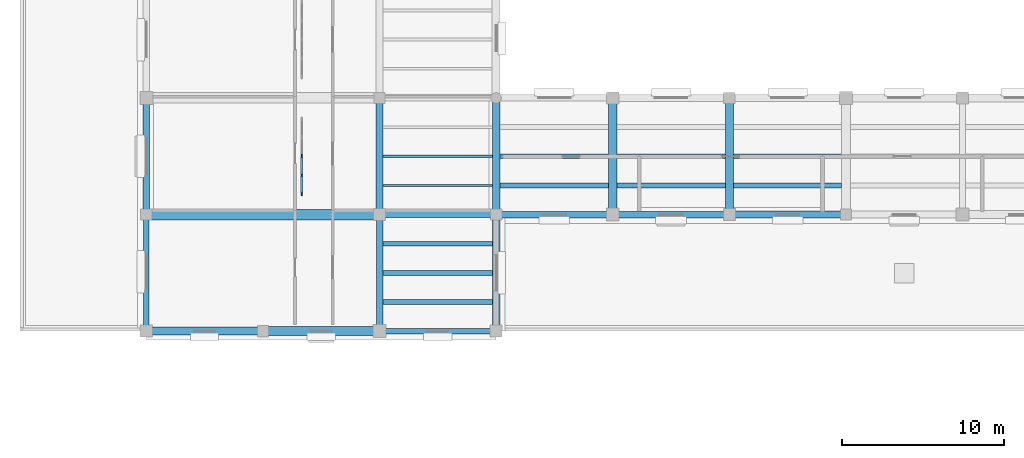
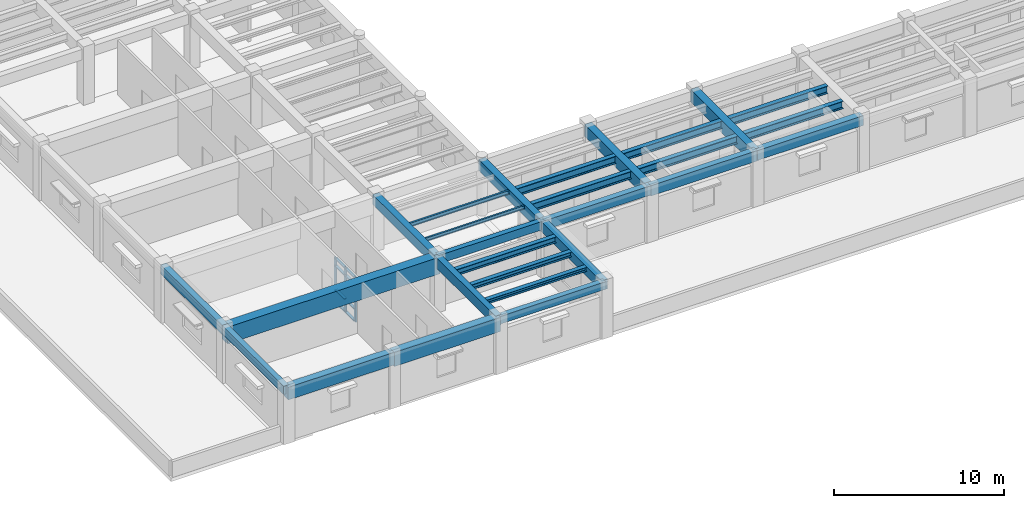
# One storey, part 3 of 76: 27 beams, 11 members, 1 element without a shape of its own.
"""IFC4 building model written with IfcOpenShell, lengths in metres."""

from ifc_helpers import new_model, si_unit, direction, frame, origin, origin_2d, place, context, subcontext, project, spatial, rectangle, i_section, extrude, material, material_profile, profile_set, type_object, element, aggregate, save


model = new_model("IFC4")

# Units and contexts
model_context = context("Model", 3, precision=1e-05, world=origin(), true_north=direction((0.0, 1.0)))
body_context = subcontext(model_context, "Body", "Model", "MODEL_VIEW")
ifc_project = project(units=[si_unit("LENGTHUNIT", "METRE"), si_unit("AREAUNIT", "SQUARE_METRE"), si_unit("VOLUMEUNIT", "CUBIC_METRE"), si_unit("PLANEANGLEUNIT", "RADIAN"), si_unit("MASSUNIT", "GRAM", prefix="KILO")], contexts=[model_context])

# Site, building, storey
site_placement = place(None, origin())
site = spatial("IfcSite", under=ifc_project, at=site_placement, CompositionType="ELEMENT")
building_placement = place(site_placement, origin())
building = spatial("IfcBuilding", under=site, at=building_placement, Name="Mithqara Police Headquarters", CompositionType="ELEMENT")
storey_placement = place(building_placement, frame((0.0, 0.0, 5.39990234375)))
storey = spatial("IfcBuildingStorey", under=building, at=storey_placement, Name="L01", CompositionType="ELEMENT", Elevation=5.39990234375)

# Beams
ifc_material_1 = material(Name="Steel S355JR", Category="steel")
ifc_material_profile_1 = material_profile(ifc_material_1, i_section(OverallWidth=0.300048828125, OverallDepth=0.300048828125, WebThickness=0.010986328125, FlangeThickness=0.01904296875, FilletRadius=0.027099609375, at=origin_2d()), Name="HEB 300")
ifc_profile_set_1 = profile_set([ifc_material_profile_1], Name="Steel S355JR")
beam_type_1 = type_object("IfcBeamType", Name="BEAM HEB300", PredefinedType="BEAM", material=ifc_profile_set_1)
beam_1_placement = place(storey_placement, frame((22.39990234375, 22.800048828125, 3.77001953125), z_axis=(1.0, 0.0, 0.0), x_axis=(0.0, 1.0, 0.0)))
element("IfcBeam", 1, at=beam_1_placement, inside=storey, type_object=beam_type_1, Name="L01 Composite Steel Joist 4-5/D.1", PredefinedType="BEAM", context=body_context, shape_type="SweptSolid", body=[
    extrude(i_section(OverallWidth=0.300048828125, OverallDepth=0.300048828125, WebThickness=0.010986328125, FlangeThickness=0.01904296875, FilletRadius=0.027099609375, at=origin_2d()), origin(), (0.0, 0.0, 1.0), 6.775146484375),
])
ifc_material_profile_2 = material_profile(ifc_material_1, i_section(OverallWidth=0.300048828125, OverallDepth=0.360107421875, WebThickness=0.012451171875, FlangeThickness=0.0224609375, FilletRadius=0.027099609375, at=origin_2d()), Name="HEB 360")
ifc_profile_set_2 = profile_set([ifc_material_profile_2], Name="Steel S355JR")
beam_type_2 = type_object("IfcBeamType", Name="BEAM HEB360", PredefinedType="BEAM", material=ifc_profile_set_2)
beam_2_placement = place(storey_placement, frame((22.39990234375, 24.60009765625, 3.739990234375), z_axis=(1.0, 0.0, 0.0), x_axis=(0.0, 1.0, 0.0)))
element("IfcBeam", 2, at=beam_2_placement, inside=storey, type_object=beam_type_2, Name="L01 Composite Steel Joist 4-5/D.2", PredefinedType="BEAM", context=body_context, shape_type="SweptSolid", body=[
    extrude(i_section(OverallWidth=0.300048828125, OverallDepth=0.360107421875, WebThickness=0.012451171875, FlangeThickness=0.0224609375, FilletRadius=0.027099609375, at=origin_2d()), origin(), (0.0, 0.0, 1.0), 6.775146484375),
])
ifc_material_profile_3 = material_profile(ifc_material_1, i_section(OverallWidth=0.300048828125, OverallDepth=0.449951171875, WebThickness=0.013916015625, FlangeThickness=0.02587890625, FilletRadius=0.027099609375, at=origin_2d()), Name="HEB 450")
ifc_profile_set_3 = profile_set([ifc_material_profile_3], Name="Steel S355JR")
beam_type_3 = type_object("IfcBeamType", Name="BEAM HEB450", PredefinedType="BEAM", material=ifc_profile_set_3)
beam_3_placement = place(storey_placement, frame((22.39990234375, 26.39990234375, 3.695068359375), z_axis=(1.0, 0.0, 0.0), x_axis=(0.0, 1.0, 0.0)))
element("IfcBeam", 3, at=beam_3_placement, inside=storey, type_object=beam_type_3, Name="L01 Composite Steel Joist 4-5/D.3", PredefinedType="BEAM", context=body_context, shape_type="SweptSolid", body=[
    extrude(i_section(OverallWidth=0.300048828125, OverallDepth=0.449951171875, WebThickness=0.013916015625, FlangeThickness=0.02587890625, FilletRadius=0.027099609375, at=origin_2d()), origin(), (0.0, 0.0, 1.0), 6.775146484375),
])
ifc_material_profile_4 = material_profile(ifc_material_1, i_section(OverallWidth=0.300048828125, OverallDepth=0.550048828125, WebThickness=0.014892578125, FlangeThickness=0.029052734375, FilletRadius=0.027099609375, at=origin_2d()), Name="HEB 550")
ifc_profile_set_4 = profile_set([ifc_material_profile_4], Name="Steel S355JR")
beam_type_4 = type_object("IfcBeamType", Name="BEAM HEB550", PredefinedType="BEAM", material=ifc_profile_set_4)
for number, where, z_axis, x_axis, name in (
    (4, (29.625, 30.0, 3.64501953125), (1.0, 0.0, 0.0), (0.0, 1.0, 0.0), "L01 Composite Steel Joist 5-6/E.1"),
    (5, (29.625, 31.800048828125, 3.64501953125), (1.0, 0.0, 0.0), (0.0, 1.0, 0.0), "L01 Composite Steel Joist 5-6/E.2"),
):
    element("IfcBeam", number, at=place(storey_placement, frame(where, z_axis=z_axis, x_axis=x_axis)), inside=storey, type_object=beam_type_4, Name=name, PredefinedType="BEAM", context=body_context, shape_type="SweptSolid", body=[
        extrude(i_section(OverallWidth=0.300048828125, OverallDepth=0.550048828125, WebThickness=0.014892578125, FlangeThickness=0.029052734375, FilletRadius=0.027099609375, at=origin_2d()), origin(), (0.0, 0.0, 1.0), 6.72509765625),
    ])
for number, where, z_axis, x_axis, name in (
    (6, (36.85009765625, 30.0, 3.64501953125), (1.0, 0.0, 0.0), (0.0, 1.0, 0.0), "L01 Composite Steel Joist 6-7/E.1"),
    (7, (36.85009765625, 31.800048828125, 3.64501953125), (1.0, 0.0, 0.0), (0.0, 1.0, 0.0), "L01 Composite Steel Joist 6-7/E.2"),
):
    element("IfcBeam", number, at=place(storey_placement, frame(where, z_axis=z_axis, x_axis=x_axis)), inside=storey, type_object=beam_type_4, Name=name, PredefinedType="BEAM", context=body_context, shape_type="SweptSolid", body=[
        extrude(i_section(OverallWidth=0.300048828125, OverallDepth=0.550048828125, WebThickness=0.014892578125, FlangeThickness=0.029052734375, FilletRadius=0.027099609375, at=origin_2d()), origin(), (0.0, 0.0, 1.0), 6.699951171875),
    ])
for number, where, z_axis, x_axis, name in (
    (8, (44.050048828125, 30.0, 3.64501953125), (1.0, 0.0, 0.0), (0.0, 1.0, 0.0), "L01 Composite Steel Joist 7-8/E.1"),
    (9, (44.050048828125, 31.800048828125, 3.64501953125), (1.0, 0.0, 0.0), (0.0, 1.0, 0.0), "L01 Composite Steel Joist 7-8/E.2"),
):
    element("IfcBeam", number, at=place(storey_placement, frame(where, z_axis=z_axis, x_axis=x_axis)), inside=storey, type_object=beam_type_4, Name=name, PredefinedType="BEAM", context=body_context, shape_type="SweptSolid", body=[
        extrude(i_section(OverallWidth=0.300048828125, OverallDepth=0.550048828125, WebThickness=0.014892578125, FlangeThickness=0.029052734375, FilletRadius=0.027099609375, at=origin_2d()), origin(), (0.0, 0.0, 1.0), 6.675048828125),
    ])
ifc_material_2 = material(Name="Concrete C40/50", Category="concrete")
ifc_material_profile_5 = material_profile(ifc_material_2, rectangle(XDim=0.35009765625, YDim=0.550048828125, at=origin_2d()), Name="RC 350x550")
ifc_profile_set_5 = profile_set([ifc_material_profile_5], Name="Concrete C40/50")
beam_type_5 = type_object("IfcBeamType", Name="BEAM RC350X550", PredefinedType="BEAM", material=ifc_profile_set_5)
beam_4_placement = place(storey_placement, frame((22.199951171875, 21.0, 3.64501953125), z_axis=(1.0, 0.0, 0.0), x_axis=(0.0, 1.0, 0.0)))
element("IfcBeam", 10, at=beam_4_placement, inside=storey, type_object=beam_type_5, Name="L01 Girder 4-5/D", PredefinedType="BEAM", context=body_context, shape_type="SweptSolid", body=[
    extrude(rectangle(XDim=0.35009765625, YDim=0.550048828125, at=origin_2d()), origin(), (0.0, 0.0, 1.0), 7.199951171875),
])
ifc_material_profile_6 = material_profile(ifc_material_2, rectangle(XDim=0.35009765625, YDim=0.60009765625, at=origin_2d()), Name="RC 350x600")
ifc_profile_set_6 = profile_set([ifc_material_profile_6], Name="Concrete C40/50")
beam_type_6 = type_object("IfcBeamType", Name="BEAM RC350X600", PredefinedType="BEAM", material=ifc_profile_set_6)
for number, where, z_axis, x_axis, name in (
    (11, (7.800048828125, 21.0, 3.6201171875), (0.0, 1.0, 0.0), (-1.0, 0.0, 0.0), "L01 Girder 2/D-E"),
    (12, (22.199951171875, 28.199951171875, 3.6201171875), (1.0, 0.0, 0.0), (0.0, 1.0, 0.0), "L01 Girder 4-5/E"),
):
    element("IfcBeam", number, at=place(storey_placement, frame(where, z_axis=z_axis, x_axis=x_axis)), inside=storey, type_object=beam_type_6, Name=name, PredefinedType="BEAM", context=body_context, shape_type="SweptSolid", body=[
        extrude(rectangle(XDim=0.35009765625, YDim=0.60009765625, at=origin_2d()), origin(), (0.0, 0.0, 1.0), 7.199951171875),
    ])
ifc_material_profile_7 = material_profile(ifc_material_2, rectangle(XDim=0.39990234375, YDim=0.64990234375, at=origin_2d()), Name="RC 400x650")
ifc_profile_set_7 = profile_set([ifc_material_profile_7], Name="Concrete C40/50")
beam_type_7 = type_object("IfcBeamType", Name="BEAM RC400X650", PredefinedType="BEAM", material=ifc_profile_set_7)
beam_5_placement = place(storey_placement, frame((7.800048828125, 28.199951171875, 3.59521484375), z_axis=(0.0, 1.0, 0.0), x_axis=(-1.0, 0.0, 0.0)))
element("IfcBeam", 13, at=beam_5_placement, inside=storey, type_object=beam_type_7, Name="L01 Girder 2/E-F", PredefinedType="BEAM", context=body_context, shape_type="SweptSolid", body=[
    extrude(rectangle(XDim=0.39990234375, YDim=0.64990234375, at=origin_2d()), origin(), (0.0, 0.0, 1.0), 7.199951171875),
])
beam_6_placement = place(storey_placement, frame((29.39990234375, 28.199951171875, 3.59521484375), z_axis=(1.0, 0.0, 0.0), x_axis=(0.0, 1.0, 0.0)))
element("IfcBeam", 14, at=beam_6_placement, inside=storey, type_object=beam_type_7, Name="L01 Girder 5-6/E", PredefinedType="BEAM", context=body_context, shape_type="SweptSolid", body=[
    extrude(rectangle(XDim=0.39990234375, YDim=0.64990234375, at=origin_2d()), origin(), (0.0, 0.0, 1.0), 7.2001953125),
])
ifc_material_profile_8 = material_profile(ifc_material_2, rectangle(XDim=0.39990234375, YDim=0.75, at=origin_2d()), Name="RC 400x750")
ifc_profile_set_8 = profile_set([ifc_material_profile_8], Name="Concrete C40/50")
beam_type_8 = type_object("IfcBeamType", Name="BEAM RC400X750", PredefinedType="BEAM", material=ifc_profile_set_8)
for number, where, z_axis, x_axis, name in (
    (15, (22.199951171875, 21.0, 3.545166015625), (0.0, 1.0, 0.0), (-1.0, 0.0, 0.0), "L01 Girder 4/D-E"),
    (16, (36.60009765625, 28.199951171875, 3.545166015625), (1.0, 0.0, 0.0), (0.0, 1.0, 0.0), "L01 Girder 6-7/E"),
):
    element("IfcBeam", number, at=place(storey_placement, frame(where, z_axis=z_axis, x_axis=x_axis)), inside=storey, type_object=beam_type_8, Name=name, PredefinedType="BEAM", context=body_context, shape_type="SweptSolid", body=[
        extrude(rectangle(XDim=0.39990234375, YDim=0.75, at=origin_2d()), origin(), (0.0, 0.0, 1.0), 7.199951171875),
    ])
ifc_material_profile_9 = material_profile(ifc_material_2, rectangle(XDim=0.449951171875, YDim=0.699951171875, at=origin_2d()), Name="RC 450x700")
ifc_profile_set_9 = profile_set([ifc_material_profile_9], Name="Concrete C40/50")
beam_type_9 = type_object("IfcBeamType", Name="BEAM RC450X700", PredefinedType="BEAM", material=ifc_profile_set_9)
for number, where, z_axis, x_axis, name in (
    (17, (22.199951171875, 28.199951171875, 3.570068359375), (0.0, 1.0, 0.0), (-1.0, 0.0, 0.0), "L01 Girder 4/E-F"),
    (18, (29.39990234375, 21.0, 3.570068359375), (0.0, 1.0, 0.0), (-1.0, 0.0, 0.0), "L01 Girder 5/D-E"),
    (19, (43.800048828125, 28.199951171875, 3.570068359375), (1.0, 0.0, 0.0), (0.0, 1.0, 0.0), "L01 Girder 7-8/E"),
):
    element("IfcBeam", number, at=place(storey_placement, frame(where, z_axis=z_axis, x_axis=x_axis)), inside=storey, type_object=beam_type_9, Name=name, PredefinedType="BEAM", context=body_context, shape_type="SweptSolid", body=[
        extrude(rectangle(XDim=0.449951171875, YDim=0.699951171875, at=origin_2d()), origin(), (0.0, 0.0, 1.0), 7.199951171875),
    ])
ifc_material_profile_10 = material_profile(ifc_material_2, rectangle(XDim=0.449951171875, YDim=0.800048828125, at=origin_2d()), Name="RC 450x800")
ifc_profile_set_10 = profile_set([ifc_material_profile_10], Name="Concrete C40/50")
beam_type_10 = type_object("IfcBeamType", Name="BEAM RC450X800", PredefinedType="BEAM", material=ifc_profile_set_10)
beam_7_placement = place(storey_placement, frame((29.39990234375, 28.199951171875, 3.52001953125), z_axis=(0.0, 1.0, 0.0), x_axis=(-1.0, 0.0, 0.0)))
element("IfcBeam", 20, at=beam_7_placement, inside=storey, type_object=beam_type_10, Name="L01 Girder 5/E-F", PredefinedType="BEAM", context=body_context, shape_type="SweptSolid", body=[
    extrude(rectangle(XDim=0.449951171875, YDim=0.800048828125, at=origin_2d()), origin(), (0.0, 0.0, 1.0), 7.199951171875),
])
ifc_material_profile_11 = material_profile(ifc_material_2, rectangle(XDim=0.5, YDim=0.85009765625, at=origin_2d()), Name="RC 500x850")
ifc_profile_set_11 = profile_set([ifc_material_profile_11], Name="Concrete C40/50")
beam_type_11 = type_object("IfcBeamType", Name="BEAM RC500X850", PredefinedType="BEAM", material=ifc_profile_set_11)
beam_8_placement = place(storey_placement, frame((36.60009765625, 28.199951171875, 3.4951171875), z_axis=(0.0, 1.0, 0.0), x_axis=(-1.0, 0.0, 0.0)))
element("IfcBeam", 21, at=beam_8_placement, inside=storey, type_object=beam_type_11, Name="L01 Girder 6/E-F", PredefinedType="BEAM", context=body_context, shape_type="SweptSolid", body=[
    extrude(rectangle(XDim=0.5, YDim=0.85009765625, at=origin_2d()), origin(), (0.0, 0.0, 1.0), 7.199951171875),
])
ifc_material_3 = material(Name="Concrete C50/60", Category="concrete")
ifc_material_profile_12 = material_profile(ifc_material_3, rectangle(XDim=0.5, YDim=0.89990234375, at=origin_2d()), Name="RC 500x900")
ifc_profile_set_12 = profile_set([ifc_material_profile_12], Name="Concrete C50/60")
beam_type_12 = type_object("IfcBeamType", Name="BEAM RC500X900", PredefinedType="BEAM", material=ifc_profile_set_12)
for number, where, z_axis, x_axis, name in (
    (22, (7.800048828125, 21.0, 3.47021484375), (1.0, 0.0, 0.0), (0.0, 1.0, 0.0), "L01 Girder 2-3/D"),
    (23, (43.800048828125, 28.199951171875, 3.47021484375), (0.0, 1.0, 0.0), (-1.0, 0.0, 0.0), "L01 Girder 7/E-F"),
):
    element("IfcBeam", number, at=place(storey_placement, frame(where, z_axis=z_axis, x_axis=x_axis)), inside=storey, type_object=beam_type_12, Name=name, PredefinedType="BEAM", context=body_context, shape_type="SweptSolid", body=[
        extrude(rectangle(XDim=0.5, YDim=0.89990234375, at=origin_2d()), origin(), (0.0, 0.0, 1.0), 7.199951171875),
    ])
ifc_material_profile_13 = material_profile(ifc_material_3, rectangle(XDim=0.550048828125, YDim=1.0, at=origin_2d()), Name="RC 550x1000")
ifc_profile_set_13 = profile_set([ifc_material_profile_13], Name="Concrete C50/60")
beam_type_13 = type_object("IfcBeamType", Name="BEAM RC550X1000", PredefinedType="BEAM", material=ifc_profile_set_13)
beam_9_placement = place(storey_placement, frame((15.0, 21.0, 3.420166015625), z_axis=(1.0, 0.0, 0.0), x_axis=(0.0, 1.0, 0.0)))
element("IfcBeam", 24, at=beam_9_placement, inside=storey, type_object=beam_type_13, Name="L01 Girder 3-4/D", PredefinedType="BEAM", context=body_context, shape_type="SweptSolid", body=[
    extrude(rectangle(XDim=0.550048828125, YDim=1.0, at=origin_2d()), origin(), (0.0, 0.0, 1.0), 7.199951171875),
])

# Curtain wall, members
ifc_material_4 = material(Name="Bronze anodised aluminium 6063-T6", Category="aluminium")
curtain_wall_type = type_object("IfcCurtainWallType", Name="CURTAIN WALL 4700X3200", PredefinedType="USERDEFINED", material=ifc_material_4)
curtain_wall_placement = place(storey_placement, origin())
curtain_wall = element("IfcCurtainWall", 25, at=curtain_wall_placement, inside=storey, type_object=curtain_wall_type, Name="L01 Unitised Glazing CW-15 (CW-INT-L01-X02-Y04-0)", ObjectType="UNITISED GLAZING", PredefinedType="USERDEFINED")
ifc_material_profile_14 = material_profile(ifc_material_4, rectangle(XDim=0.074951171875, YDim=0.219970703125, at=origin_2d()), Name="CWM 75x220")
ifc_profile_set_14 = profile_set([ifc_material_profile_14], Name="Bronze anodised aluminium 6063-T6")
member_type_1 = type_object("IfcMemberType", Name="CWMULLION 75X220", PredefinedType="MULLION", material=ifc_profile_set_14)
member_1_placement = place(storey_placement, frame((17.39990234375, 29.487548828125, 0.0), z_axis=(0.0, 0.0, 1.0), x_axis=(-1.0, 0.0, 0.0)))
member_1 = element("IfcMember", 26, at=member_1_placement, type_object=member_type_1, Name="CW-15 mullion 1", PredefinedType="MULLION", context=body_context, shape_type="SweptSolid", body=[
    extrude(rectangle(XDim=0.074951171875, YDim=0.219970703125, at=origin_2d()), origin(), (0.0, 0.0, 1.0), 3.2001953125),
])
member_2_placement = place(storey_placement, frame((17.39990234375, 30.625, 0.0), z_axis=(0.0, 0.0, 1.0), x_axis=(-1.0, 0.0, 0.0)))
member_2 = element("IfcMember", 27, at=member_2_placement, type_object=member_type_1, Name="CW-15 mullion 2", PredefinedType="MULLION", context=body_context, shape_type="SweptSolid", body=[
    extrude(rectangle(XDim=0.074951171875, YDim=0.219970703125, at=origin_2d()), origin(), (0.0, 0.0, 1.0), 3.2001953125),
])
member_3_placement = place(storey_placement, frame((17.39990234375, 31.800048828125, 0.0), z_axis=(0.0, 0.0, 1.0), x_axis=(-1.0, 0.0, 0.0)))
member_3 = element("IfcMember", 28, at=member_3_placement, type_object=member_type_1, Name="CW-15 mullion 3", PredefinedType="MULLION", context=body_context, shape_type="SweptSolid", body=[
    extrude(rectangle(XDim=0.074951171875, YDim=0.219970703125, at=origin_2d()), origin(), (0.0, 0.0, 1.0), 3.2001953125),
])
ifc_material_profile_15 = material_profile(ifc_material_4, rectangle(XDim=0.179931640625, YDim=0.074951171875, at=origin_2d()), Name="CWT 180x75")
ifc_profile_set_15 = profile_set([ifc_material_profile_15], Name="Bronze anodised aluminium 6063-T6")
member_type_2 = type_object("IfcMemberType", Name="CWTRANSOM 180X75", PredefinedType="USERDEFINED", material=ifc_profile_set_15)
member_4_placement = place(storey_placement, frame((17.39990234375, 29.52490234375, 0.03759765625), z_axis=(0.0, 1.0, 0.0), x_axis=(-1.0, 0.0, 0.0)))
member_4 = element("IfcMember", 29, at=member_4_placement, type_object=member_type_2, Name="CW-15 transom 1.1", ObjectType="TRANSOM", PredefinedType="USERDEFINED", context=body_context, shape_type="SweptSolid", body=[
    extrude(rectangle(XDim=0.179931640625, YDim=0.074951171875, at=origin_2d()), origin(), (0.0, 0.0, 1.0), 1.0625),
])
member_5_placement = place(storey_placement, frame((17.39990234375, 29.52490234375, 0.900146484375), z_axis=(0.0, 1.0, 0.0), x_axis=(-1.0, 0.0, 0.0)))
member_5 = element("IfcMember", 30, at=member_5_placement, type_object=member_type_2, Name="CW-15 transom 1.2", ObjectType="TRANSOM", PredefinedType="USERDEFINED", context=body_context, shape_type="SweptSolid", body=[
    extrude(rectangle(XDim=0.179931640625, YDim=0.074951171875, at=origin_2d()), origin(), (0.0, 0.0, 1.0), 1.0625),
])
member_6_placement = place(storey_placement, frame((17.39990234375, 29.52490234375, 2.650146484375), z_axis=(0.0, 1.0, 0.0), x_axis=(-1.0, 0.0, 0.0)))
member_6 = element("IfcMember", 31, at=member_6_placement, type_object=member_type_2, Name="CW-15 transom 1.3", ObjectType="TRANSOM", PredefinedType="USERDEFINED", context=body_context, shape_type="SweptSolid", body=[
    extrude(rectangle(XDim=0.179931640625, YDim=0.074951171875, at=origin_2d()), origin(), (0.0, 0.0, 1.0), 1.0625),
])
member_7_placement = place(storey_placement, frame((17.39990234375, 29.52490234375, 3.16259765625), z_axis=(0.0, 1.0, 0.0), x_axis=(-1.0, 0.0, 0.0)))
member_7 = element("IfcMember", 32, at=member_7_placement, type_object=member_type_2, Name="CW-15 transom 1.4", ObjectType="TRANSOM", PredefinedType="USERDEFINED", context=body_context, shape_type="SweptSolid", body=[
    extrude(rectangle(XDim=0.179931640625, YDim=0.074951171875, at=origin_2d()), origin(), (0.0, 0.0, 1.0), 1.0625),
])
member_8_placement = place(storey_placement, frame((17.39990234375, 30.66259765625, 0.03759765625), z_axis=(0.0, 1.0, 0.0), x_axis=(-1.0, 0.0, 0.0)))
member_8 = element("IfcMember", 33, at=member_8_placement, type_object=member_type_2, Name="CW-15 transom 2.1", ObjectType="TRANSOM", PredefinedType="USERDEFINED", context=body_context, shape_type="SweptSolid", body=[
    extrude(rectangle(XDim=0.179931640625, YDim=0.074951171875, at=origin_2d()), origin(), (0.0, 0.0, 1.0), 1.099853515625),
])
member_9_placement = place(storey_placement, frame((17.39990234375, 30.66259765625, 0.900146484375), z_axis=(0.0, 1.0, 0.0), x_axis=(-1.0, 0.0, 0.0)))
member_9 = element("IfcMember", 34, at=member_9_placement, type_object=member_type_2, Name="CW-15 transom 2.2", ObjectType="TRANSOM", PredefinedType="USERDEFINED", context=body_context, shape_type="SweptSolid", body=[
    extrude(rectangle(XDim=0.179931640625, YDim=0.074951171875, at=origin_2d()), origin(), (0.0, 0.0, 1.0), 1.099853515625),
])
member_10_placement = place(storey_placement, frame((17.39990234375, 30.66259765625, 2.650146484375), z_axis=(0.0, 1.0, 0.0), x_axis=(-1.0, 0.0, 0.0)))
member_10 = element("IfcMember", 35, at=member_10_placement, type_object=member_type_2, Name="CW-15 transom 2.3", ObjectType="TRANSOM", PredefinedType="USERDEFINED", context=body_context, shape_type="SweptSolid", body=[
    extrude(rectangle(XDim=0.179931640625, YDim=0.074951171875, at=origin_2d()), origin(), (0.0, 0.0, 1.0), 1.099853515625),
])
member_11_placement = place(storey_placement, frame((17.39990234375, 30.66259765625, 3.16259765625), z_axis=(0.0, 1.0, 0.0), x_axis=(-1.0, 0.0, 0.0)))
member_11 = element("IfcMember", 36, at=member_11_placement, type_object=member_type_2, Name="CW-15 transom 2.4", ObjectType="TRANSOM", PredefinedType="USERDEFINED", context=body_context, shape_type="SweptSolid", body=[
    extrude(rectangle(XDim=0.179931640625, YDim=0.074951171875, at=origin_2d()), origin(), (0.0, 0.0, 1.0), 1.099853515625),
])
aggregate(curtain_wall, [member_1, member_2, member_3, member_4, member_5, member_6, member_7, member_8, member_9, member_10, member_11])

# Beams
ifc_material_profile_16 = material_profile(ifc_material_1, i_section(OverallWidth=0.1201171875, OverallDepth=0.239990234375, WebThickness=0.006103515625, FlangeThickness=0.009765625, FilletRadius=0.014892578125, at=origin_2d()), Name="IPE 240")
ifc_profile_set_16 = profile_set([ifc_material_profile_16], Name="Steel S355JR")
beam_type_14 = type_object("IfcBeamType", Name="JOIST IPE240", PredefinedType="JOIST", material=ifc_profile_set_16)
beam_10_placement = place(storey_placement, frame((22.425048828125, 30.0, 3.800048828125), z_axis=(1.0, 0.0, 0.0), x_axis=(0.0, 1.0, 0.0)))
element("IfcBeam", 37, at=beam_10_placement, inside=storey, type_object=beam_type_14, Name="L01 Composite Steel Joist 4-5/E.1", PredefinedType="JOIST", context=body_context, shape_type="SweptSolid", body=[
    extrude(i_section(OverallWidth=0.1201171875, OverallDepth=0.239990234375, WebThickness=0.006103515625, FlangeThickness=0.009765625, FilletRadius=0.014892578125, at=origin_2d()), origin(), (0.0, 0.0, 1.0), 6.75),
])
ifc_material_profile_17 = material_profile(ifc_material_1, i_section(OverallWidth=0.135009765625, OverallDepth=0.27001953125, WebThickness=0.006591796875, FlangeThickness=0.01025390625, FilletRadius=0.014892578125, at=origin_2d()), Name="IPE 270")
ifc_profile_set_17 = profile_set([ifc_material_profile_17], Name="Steel S355JR")
beam_type_15 = type_object("IfcBeamType", Name="JOIST IPE270", PredefinedType="JOIST", material=ifc_profile_set_17)
beam_11_placement = place(storey_placement, frame((22.425048828125, 31.800048828125, 3.78515625), z_axis=(1.0, 0.0, 0.0), x_axis=(0.0, 1.0, 0.0)))
element("IfcBeam", 38, at=beam_11_placement, inside=storey, type_object=beam_type_15, Name="L01 Composite Steel Joist 4-5/E.2", PredefinedType="JOIST", context=body_context, shape_type="SweptSolid", body=[
    extrude(i_section(OverallWidth=0.135009765625, OverallDepth=0.27001953125, WebThickness=0.006591796875, FlangeThickness=0.01025390625, FilletRadius=0.014892578125, at=origin_2d()), origin(), (0.0, 0.0, 1.0), 6.75),
])
ifc_material_profile_18 = material_profile(ifc_material_3, rectangle(XDim=0.64990234375, YDim=1.199951171875, at=origin_2d()), Name="RC 650x1200")
ifc_profile_set_18 = profile_set([ifc_material_profile_18], Name="Concrete C50/60")
beam_type_16 = type_object("IfcBeamType", Name="TRANSFER RC650X1200", PredefinedType="BEAM", material=ifc_profile_set_18)
beam_12_placement = place(storey_placement, frame((7.800048828125, 28.199951171875, 3.320068359375), z_axis=(1.0, 0.0, 0.0), x_axis=(0.0, 1.0, 0.0)))
element("IfcBeam", 39, at=beam_12_placement, inside=storey, type_object=beam_type_16, Name="L01 Girder 2-4/E", PredefinedType="BEAM", context=body_context, shape_type="SweptSolid", body=[
    extrude(rectangle(XDim=0.64990234375, YDim=1.199951171875, at=origin_2d()), origin(), (0.0, 0.0, 1.0), 14.39990234375),
])

save(model, "model.ifc")
